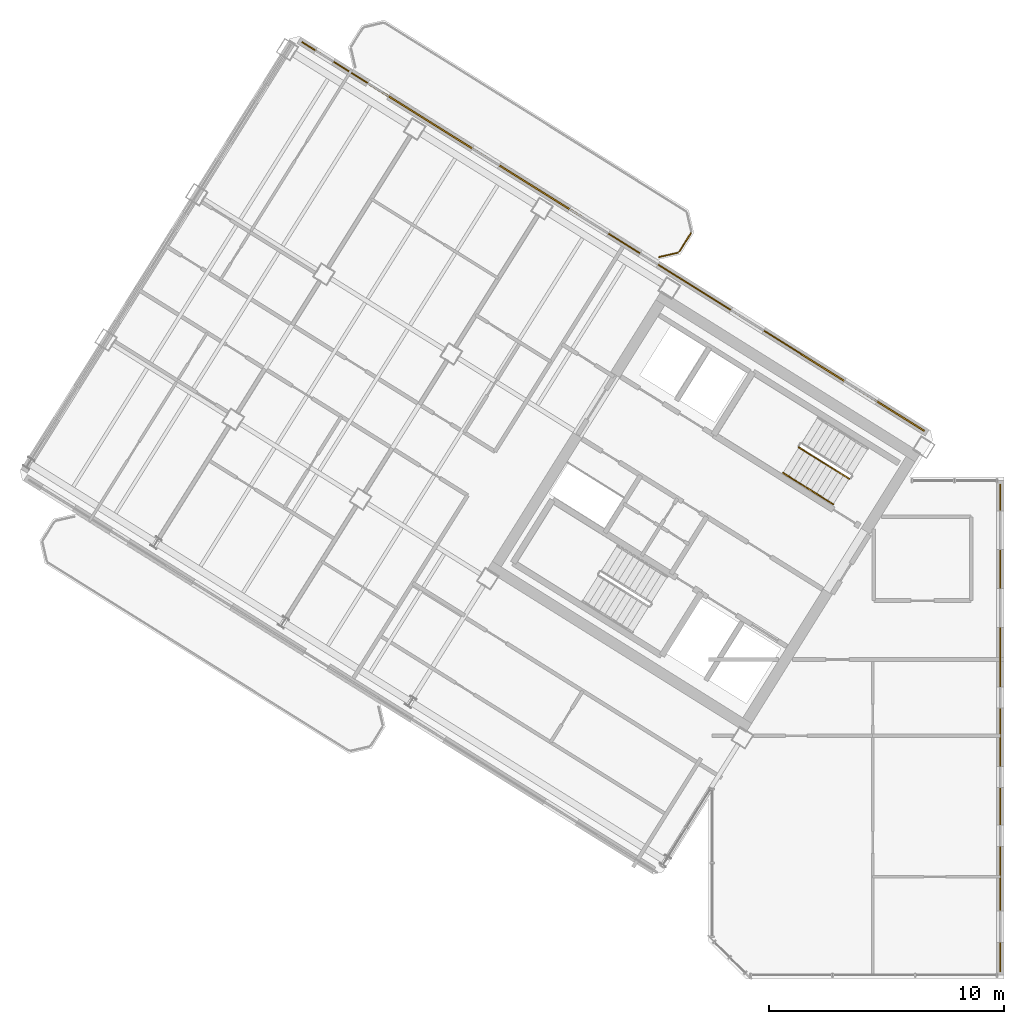
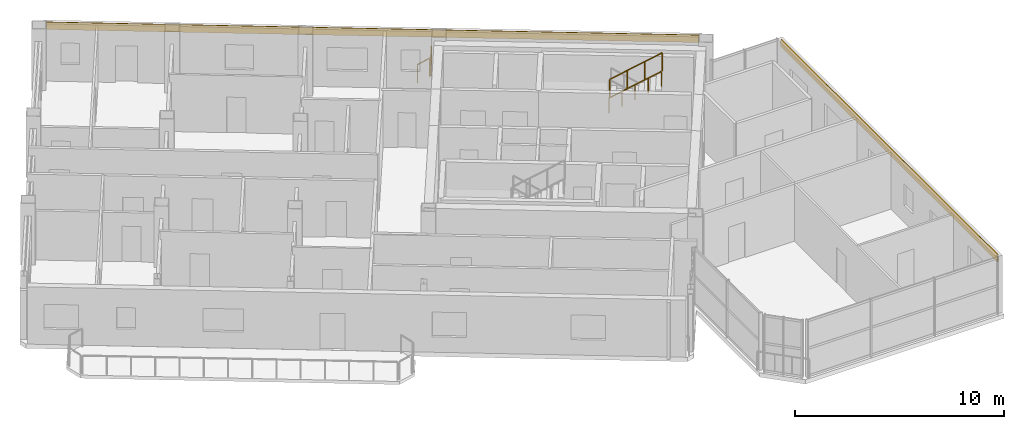
# One storey, part 16 of 17: 5 railings, 2 coverings.
"""IFC4 building model written with IfcOpenShell, lengths in metres."""

import ifcopenshell
import ifcopenshell.guid

model = None  # the IFC model being written
_history = None  # IfcOwnerHistory: only IFC2X3 demands one
_inside = {}  # id of a spatial element -> (the spatial element, [elements in it])
_under = {}  # id of a project, library or spatial element -> (it, [spatial elements below it])
_declared = {}  # id of a project -> (the project, [libraries it declares])
_typed = {}  # id of a type object -> (the type object, [elements of that type])
_made_of = {}  # id of a material, layer set ... -> (it, [elements and type objects made of it])


def new_model(schema):
    """Start an empty IFC model of exactly this schema.

    Asked for "IFC4X3", IfcOpenShell would pick the latest addendum, in which some entities
    have other attributes; the version numbers below select the first issue.
    IFC2X3 requires an IfcOwnerHistory on every rooted entity: one is made here for all.
    """
    global model, _history
    if schema == "IFC4X3":
        model = ifcopenshell.file(schema_version=(4, 3, 0, 0))
    else:
        model = ifcopenshell.file(schema=schema)
    _inside.clear()
    _under.clear()
    _declared.clear()
    _typed.clear()
    _made_of.clear()
    _history = None
    if model.schema == "IFC2X3":
        org = make("IfcOrganization", Name="unknown")
        user = make(
            "IfcPersonAndOrganization",
            ThePerson=make("IfcPerson", FamilyName="unknown"),
            TheOrganization=org,
        )
        app = make(
            "IfcApplication",
            ApplicationDeveloper=org,
            Version="unknown",
            ApplicationFullName="unknown",
            ApplicationIdentifier="unknown",
        )
        _history = make(
            "IfcOwnerHistory",
            OwningUser=user,
            OwningApplication=app,
            ChangeAction="ADDED",
            CreationDate=0,
        )
    return model


def make(cls, **values):
    """One entity of the class cls with the attributes given. An attribute that is None is left unset."""
    return model.create_entity(
        cls, **{name: value for name, value in values.items() if value is not None}
    )


def rooted(cls, **values):
    """An entity with a GlobalId (a new one), such as an element, a storey or a relation."""
    return make(cls, GlobalId=ifcopenshell.guid.new(), OwnerHistory=_history, **values)


def si_unit(unit_type, name, prefix=None):
    """IfcSIUnit, for example si_unit("LENGTHUNIT", "METRE", prefix="MILLI")."""
    return make("IfcSIUnit", UnitType=unit_type, Prefix=prefix, Name=name)


def assignment(units):
    """IfcUnitAssignment: the units of a project."""
    return None if units is None else make("IfcUnitAssignment", Units=units)


def point(xyz):
    """IfcCartesianPoint."""
    return None if xyz is None else make("IfcCartesianPoint", Coordinates=xyz)


def direction(xyz):
    """IfcDirection."""
    return None if xyz is None else make("IfcDirection", DirectionRatios=xyz)


def frame(location, z_axis=None, x_axis=None):
    """IfcAxis2Placement3D, a coordinate frame: its origin and axes. An axis left out is left unset."""
    return make(
        "IfcAxis2Placement3D",
        Location=point(location),
        Axis=direction(z_axis),
        RefDirection=direction(x_axis),
    )


def frame_2d(location, x_axis=None):
    """IfcAxis2Placement2D, a coordinate frame in the plane: its origin and x axis."""
    return make(
        "IfcAxis2Placement2D", Location=point(location), RefDirection=direction(x_axis)
    )


def origin():
    """The frame at (0, 0, 0) with its axes left unset."""
    return frame((0.0, 0.0, 0.0))


def origin_2d():
    """The frame at (0, 0) in the plane with its x axis left unset."""
    return frame_2d((0.0, 0.0))


def place(relative_to, where):
    """IfcLocalPlacement: puts the frame where relative to a parent placement (None: the world)."""
    return make(
        "IfcLocalPlacement", PlacementRelTo=relative_to, RelativePlacement=where
    )


def context(
    kind, dimensions, precision=None, world=None, true_north=None, identifier=None
):
    """IfcGeometricRepresentationContext, for example the 3D "Model" context."""
    return make(
        "IfcGeometricRepresentationContext",
        ContextIdentifier=identifier,
        ContextType=kind,
        CoordinateSpaceDimension=dimensions,
        Precision=precision,
        WorldCoordinateSystem=world,
        TrueNorth=true_north,
    )


def subcontext(parent, identifier, kind, view, scale=None):
    """IfcGeometricRepresentationSubContext, for example "Body" below "Model"."""
    return make(
        "IfcGeometricRepresentationSubContext",
        ContextIdentifier=identifier,
        ContextType=kind,
        ParentContext=parent,
        TargetScale=scale,
        TargetView=view,
    )


def project(units=None, contexts=None):
    """IfcProject with its units and contexts."""
    return rooted(
        "IfcProject",
        Name="project",
        RepresentationContexts=contexts,
        UnitsInContext=assignment(units),
    )


def spatial(cls, under=None, at=None, **own):
    """A site, building, storey or space (cls), placed at a placement, below another one or the project."""
    s = rooted(cls, ObjectPlacement=at, **own)
    if under is not None:
        _under.setdefault(under.id(), (under, []))[1].append(s)
    return s


def profile(cls, at=None, kind="AREA", **sizes):
    """A parametric profile (cls). Its sizes go by their IFC names, for example OverallWidth=200.0."""
    return make(cls, ProfileType=kind, Position=at, **sizes)


def rectangle(**sizes):
    """IfcRectangleProfileDef."""
    return profile("IfcRectangleProfileDef", **sizes)


def extrude(swept, where, along, depth):
    """IfcExtrudedAreaSolid: the profile swept, set in the frame where, extruded along a direction by depth."""
    return make(
        "IfcExtrudedAreaSolid",
        SweptArea=swept,
        Position=where,
        ExtrudedDirection=direction(along),
        Depth=depth,
    )


def shape(context_of_items, identifier, shape_type, items):
    """IfcShapeRepresentation: the items that make up one representation, for example the "Body"."""
    return make(
        "IfcShapeRepresentation",
        ContextOfItems=context_of_items,
        RepresentationIdentifier=identifier,
        RepresentationType=shape_type,
        Items=items,
    )


def source(mapping_origin, context_of_items, identifier, shape_type, items):
    """IfcRepresentationMap: a shape defined once, which mapped items show again and again."""
    return make(
        "IfcRepresentationMap",
        MappingOrigin=mapping_origin,
        MappedRepresentation=shape(context_of_items, identifier, shape_type, items),
    )


def transform(
    local_origin,
    x_axis=None,
    y_axis=None,
    z_axis=None,
    scale=None,
    scale2=None,
    scale3=None,
    uniform=True,
):
    """IfcCartesianTransformationOperator3D, or its non-uniform kind. x_axis, y_axis, z_axis: its Axis1, 2, 3."""
    if uniform:
        return make(
            "IfcCartesianTransformationOperator3D",
            Axis1=direction(x_axis),
            Axis2=direction(y_axis),
            LocalOrigin=point(local_origin),
            Scale=scale,
            Axis3=direction(z_axis),
        )
    return make(
        "IfcCartesianTransformationOperator3DnonUniform",
        Axis1=direction(x_axis),
        Axis2=direction(y_axis),
        LocalOrigin=point(local_origin),
        Scale=scale,
        Axis3=direction(z_axis),
        Scale2=scale2,
        Scale3=scale3,
    )


def mapped(mapping_source, mapping_target):
    """IfcMappedItem: shows the shape of a source again, moved by a transform."""
    return make(
        "IfcMappedItem", MappingSource=mapping_source, MappingTarget=mapping_target
    )


def material(Name=None, Category=None):
    """IfcMaterial."""
    return make("IfcMaterial", Name=Name, Category=Category)


def layer(
    of_material, thickness, ventilated=None, Name=None, Category=None, Priority=None
):
    """IfcMaterialLayer: one layer of a wall or slab, of a material (None: an air gap)."""
    return make(
        "IfcMaterialLayer",
        Material=of_material,
        LayerThickness=thickness,
        IsVentilated=ventilated,
        Name=Name,
        Category=Category,
        Priority=Priority,
    )


def layer_set(layers, Name=None):
    """IfcMaterialLayerSet."""
    return make("IfcMaterialLayerSet", MaterialLayers=layers, LayerSetName=Name)


def made_of(thing, what):
    """Note that an element or type object is made of a material, layer set ...; save() writes the relation."""
    if what is not None:
        _made_of.setdefault(what.id(), (what, []))[1].append(thing)
    return thing


def type_object(cls, material=None, **own):
    """A type object (cls), such as IfcWallType, which elements share."""
    return made_of(rooted(cls, **own), material)


def element(
    cls,
    number,
    at=None,
    inside=None,
    cuts=None,
    type_object=None,
    material=None,
    context=None,
    identifier="Body",
    shape_type=None,
    held_by="IfcProductDefinitionShape",
    body=None,
    shapes=None,
    **own,
):
    """One element of the class cls, such as IfcWall. Its Tag is "e" and its number.

    at: its placement. inside: the storey or other place that contains it. cuts: it is an
    opening in that element (IfcRelVoidsElement). A single representation is given by context,
    identifier, shape_type and body (its items); several are given by shapes. held_by: the class
    of the entity that holds the representations. save() writes the other relations.
    """
    e = rooted(cls, Tag="e%d" % number, ObjectPlacement=at, **own)
    if body is not None:
        shapes = [shape(context, identifier, shape_type, body)]
    if shapes is not None:
        e.Representation = make(held_by, Representations=shapes)
    if inside is not None:
        _inside.setdefault(inside.id(), (inside, []))[1].append(e)
    if cuts is not None:
        rooted(
            "IfcRelVoidsElement", RelatingBuildingElement=cuts, RelatedOpeningElement=e
        )
    if type_object is not None:
        _typed.setdefault(type_object.id(), (type_object, []))[1].append(e)
    return made_of(e, material)


def aggregate(whole, parts):
    """IfcRelAggregates: a whole, such as a stair, and the parts it consists of."""
    return rooted("IfcRelAggregates", RelatingObject=whole, RelatedObjects=parts)


def save(model, path):
    """Write the relations noted so far, then the file.

    IfcRelAggregates (storeys below a building ...), IfcRelContainedInSpatialStructure (elements
    in a storey), IfcRelDefinesByType, IfcRelAssociatesMaterial and IfcRelDeclares: one each for
    every whole, place, type object, material and project.
    """
    for whole, parts in _under.values():
        aggregate(whole, parts)
    for where, things in _inside.values():
        rooted(
            "IfcRelContainedInSpatialStructure",
            RelatedElements=things,
            RelatingStructure=where,
        )
    for kind, things in _typed.values():
        rooted("IfcRelDefinesByType", RelatedObjects=things, RelatingType=kind)
    for what, things in _made_of.values():
        rooted("IfcRelAssociatesMaterial", RelatedObjects=things, RelatingMaterial=what)
    for by, libraries in _declared.values():
        rooted("IfcRelDeclares", RelatingContext=by, RelatedDefinitions=libraries)
    model.write(path)


model = new_model("IFC4")

# Units and contexts
model_context = context("Model", 3, precision=1e-05, world=origin(), true_north=direction((0.0, 1.0)))
body_context = subcontext(model_context, "Body", "Model", "MODEL_VIEW")
ifc_project = project(units=[si_unit("LENGTHUNIT", "METRE"), si_unit("AREAUNIT", "SQUARE_METRE"), si_unit("VOLUMEUNIT", "CUBIC_METRE"), si_unit("PLANEANGLEUNIT", "RADIAN"), si_unit("MASSUNIT", "GRAM", prefix="KILO")], contexts=[model_context])

# Site, building, storey
site_placement = place(None, origin())
site = spatial("IfcSite", under=ifc_project, at=site_placement, CompositionType="ELEMENT")
building_placement = place(site_placement, origin())
building = spatial("IfcBuilding", under=site, at=building_placement, Name="Tlacorven Tower", CompositionType="ELEMENT")
storey_placement = place(building_placement, frame((0.0, 0.0, 270.0)))
storey = spatial("IfcBuildingStorey", under=building, at=storey_placement, Name="L68", CompositionType="ELEMENT", Elevation=270.0)

# Railings
ifc_material_1 = material(Name="Aluminium and painted steel balustrade", Category="steel")
railing_type_1 = type_object("IfcRailingType", Name="RL-BAL-1100", PredefinedType="BALUSTRADE", material=ifc_material_1)
shared_shape_1 = source(origin(), body_context, "Body", "SweptSolid", [
    extrude(rectangle(XDim=0.048095703125, YDim=0.048095703125, at=origin_2d()), frame((0.0, 0.0, 1.076171875), z_axis=(-0.52987865805, -0.848073468364, 0.0), x_axis=(0.848073468364, -0.52987865805, 0.0)), (0.0, 0.0, 1.0), 0.912353515625),
    extrude(rectangle(XDim=0.0419921875, YDim=0.0419921875, at=origin_2d()), origin(), (0.0, 0.0, 1.0), 1.052001953125),
    extrude(rectangle(XDim=0.0419921875, YDim=0.0419921875, at=origin_2d()), frame((-0.4833984375, -0.773681640625, 0.0)), (0.0, 0.0, 1.0), 1.052001953125),
])
railing_1_placement = place(storey_placement, frame((30.845947265625, 33.588623046875, 0.0)))
element("IfcRailing", 1, at=railing_1_placement, inside=storey, type_object=railing_type_1, Name="BAL-L68-W-IN Guard Railing 2", PredefinedType="BALUSTRADE", context=body_context, shape_type="MappedRepresentation", body=[
    mapped(shared_shape_1, transform((0.0, 0.0, 0.0), scale=1.0)),
])
shared_shape_2 = source(origin(), body_context, "Body", "SweptSolid", [
    extrude(rectangle(XDim=0.048095703125, YDim=0.048095703125, at=origin_2d()), frame((0.0, 0.0, 1.076171875), z_axis=(-0.974345290916, -0.225058334816, 0.0), x_axis=(0.225058334816, -0.974345290916, 0.0)), (0.0, 0.0, 1.0), 0.80712890625),
    extrude(rectangle(XDim=0.0419921875, YDim=0.0419921875, at=origin_2d()), origin(), (0.0, 0.0, 1.0), 1.052001953125),
    extrude(rectangle(XDim=0.0419921875, YDim=0.0419921875, at=origin_2d()), frame((-0.786376953125, -0.181640625, 0.0)), (0.0, 0.0, 1.0), 1.052001953125),
])
railing_2_placement = place(storey_placement, frame((30.287353515625, 32.761474609375, 0.0)))
element("IfcRailing", 2, at=railing_2_placement, inside=storey, type_object=railing_type_1, Name="BAL-L68-W-IN Guard Railing 3", PredefinedType="BALUSTRADE", context=body_context, shape_type="MappedRepresentation", body=[
    mapped(shared_shape_2, transform((0.0, 0.0, 0.0), scale=1.0)),
])

# Coverings
ifc_material_2 = material(Name="Precast concrete C45/55", Category="concrete")
ifc_layer = layer(ifc_material_2, 0.06005859375)
ifc_layer_set = layer_set([ifc_layer], Name="Precast concrete C45/55")
covering_type = type_object("IfcCoveringType", Name="CV-CLD-TERC", PredefinedType="CLADDING", material=ifc_layer_set)
shared_shape_3 = source(origin(), body_context, "Body", "SweptSolid", [
    extrude(rectangle(XDim=31.287353515625, YDim=0.06005859375, at=origin_2d()), origin(), (0.0, 0.0, 1.0), 0.419921875),
])
covering_1_placement = place(storey_placement, frame((27.5322265625, 33.455810546875, 2.929931640625), z_axis=(0.0, 0.0, 1.0), x_axis=(0.84804812172, -0.529919223323, 0.0)))
element("IfcCovering", 3, at=covering_1_placement, inside=storey, type_object=covering_type, Name="L68 Masonry-Frame Spandrel Cladding 4", PredefinedType="CLADDING", context=body_context, shape_type="MappedRepresentation", body=[
    mapped(shared_shape_3, transform((0.0, 0.0, 0.0), scale=1.0)),
])
shared_shape_4 = source(origin(), body_context, "Body", "SweptSolid", [
    extrude(rectangle(XDim=20.780029296875, YDim=0.06005859375, at=origin_2d()), origin(), (0.0, 0.0, 1.0), 0.419921875),
])
covering_2_placement = place(storey_placement, frame((44.0400390625, 12.5, 2.929931640625), z_axis=(0.0, 0.0, 1.0), x_axis=(0.0, -1.0, 0.0)))
element("IfcCovering", 4, at=covering_2_placement, inside=storey, type_object=covering_type, Name="L68 Masonry-Frame Spandrel Cladding 1", PredefinedType="CLADDING", context=body_context, shape_type="MappedRepresentation", body=[
    mapped(shared_shape_4, transform((0.0, 0.0, 0.0), scale=1.0)),
])

# Railings
railing_type_2 = type_object("IfcRailingType", Name="RL-HND-0900", PredefinedType="HANDRAIL", material=ifc_material_1)
shared_shape_5 = source(origin(), body_context, "Body", "SweptSolid", [
    extrude(rectangle(XDim=0.048095703125, YDim=0.048095703125, at=origin_2d()), frame((0.0, 0.0, 0.8759765625), z_axis=(0.713359751793, -0.4457479829, 0.540764828981), x_axis=(0.529911857636, 0.848052724267, 0.0)), (0.0, 0.0, 1.0), 1.498046875),
    extrude(rectangle(XDim=0.0419921875, YDim=0.0419921875, at=origin_2d()), origin(), (0.0, 0.0, 1.0), 0.851806640625),
    extrude(rectangle(XDim=0.0419921875, YDim=0.0419921875, at=origin_2d()), frame((0.5341796875, -0.333984375, 0.405029296875)), (0.0, 0.0, 1.0), 0.851806640625),
    extrude(rectangle(XDim=0.0419921875, YDim=0.0419921875, at=origin_2d()), frame((1.068603515625, -0.667724609375, 0.81005859375)), (0.0, 0.0, 1.0), 0.851806640625),
])
for number, where, name in (
    (5, (34.7802734375, 23.372802734375, 1.97998046875), "L68 ST-W2 stair handrail 3"),
    (6, (35.848876953125, 22.705078125, 2.7900390625), "L68 ST-W2 stair handrail 4"),
):
    element("IfcRailing", number, at=place(storey_placement, frame(where)), inside=storey, type_object=railing_type_2, Name=name, PredefinedType="HANDRAIL", context=body_context, shape_type="MappedRepresentation", body=[
        mapped(shared_shape_5, transform((0.0, 0.0, 0.0), scale=1.0)),
    ])
railing_type_3 = type_object("IfcRailingType", Name="RL-GRD-1100", PredefinedType="GUARDRAIL", material=ifc_material_1)
shared_shape_6 = source(origin(), body_context, "Body", "SweptSolid", [
    extrude(rectangle(XDim=0.048095703125, YDim=0.048095703125, at=origin_2d()), frame((0.0, 0.0, 1.076171875), z_axis=(0.713385662783, -0.445682681033, 0.540784470897), x_axis=(0.52984217967, 0.848096259066, 0.0)), (0.0, 0.0, 1.0), 2.995849609375),
    extrude(rectangle(XDim=0.0419921875, YDim=0.0419921875, at=origin_2d()), origin(), (0.0, 0.0, 1.0), 1.052001953125),
    extrude(rectangle(XDim=0.0419921875, YDim=0.0419921875, at=origin_2d()), frame((0.71240234375, -0.445068359375, 0.5400390625)), (0.0, 0.0, 1.0), 1.052001953125),
    extrude(rectangle(XDim=0.0419921875, YDim=0.0419921875, at=origin_2d()), frame((1.4248046875, -0.89013671875, 1.080078125)), (0.0, 0.0, 1.0), 1.052001953125),
    extrude(rectangle(XDim=0.0419921875, YDim=0.0419921875, at=origin_2d()), frame((2.13720703125, -1.335205078125, 1.6201171875)), (0.0, 0.0, 1.0), 1.052001953125),
])
railing_3_placement = place(storey_placement, frame((35.45849609375, 24.458251953125, 1.97998046875)))
element("IfcRailing", 7, at=railing_3_placement, inside=storey, type_object=railing_type_3, Name="L68 ST-W2 stair guard 3", PredefinedType="GUARDRAIL", context=body_context, shape_type="MappedRepresentation", body=[
    mapped(shared_shape_6, transform((0.0, 0.0, 0.0), scale=1.0)),
])

save(model, "model.ifc")
